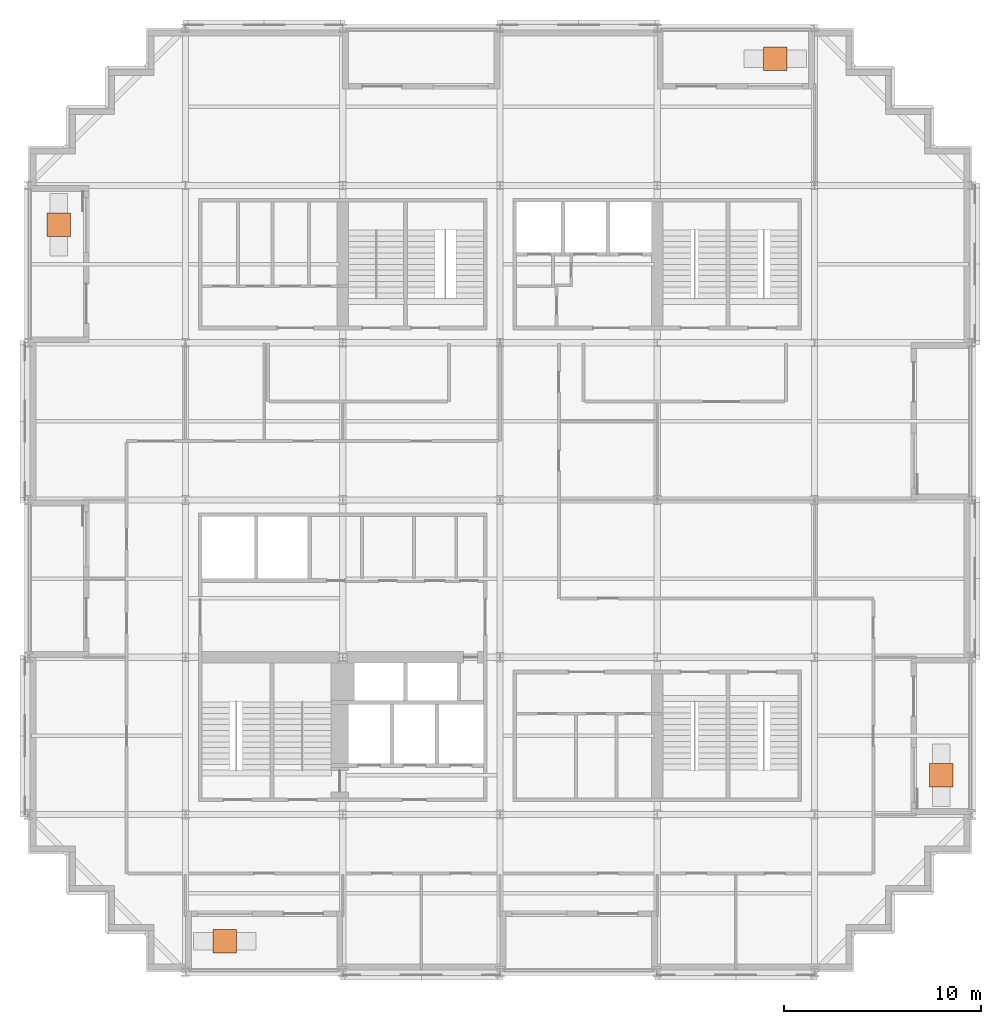
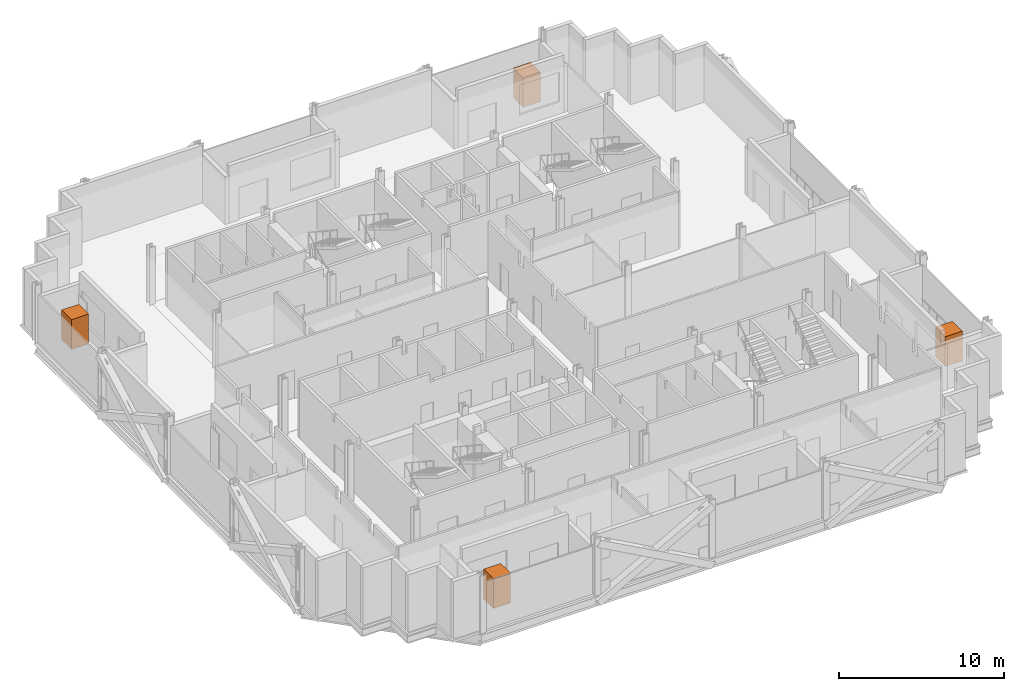
# One storey, part 13 of 13: 4 geographic elements.
"""IFC4 building model written with IfcOpenShell, lengths in metres."""

import ifcopenshell
import ifcopenshell.guid

model = None  # the IFC model being written
_history = None  # IfcOwnerHistory: only IFC2X3 demands one
_inside = {}  # id of a spatial element -> (the spatial element, [elements in it])
_under = {}  # id of a project, library or spatial element -> (it, [spatial elements below it])
_declared = {}  # id of a project -> (the project, [libraries it declares])
_typed = {}  # id of a type object -> (the type object, [elements of that type])
_made_of = {}  # id of a material, layer set ... -> (it, [elements and type objects made of it])


def new_model(schema):
    """Start an empty IFC model of exactly this schema.

    Asked for "IFC4X3", IfcOpenShell would pick the latest addendum, in which some entities
    have other attributes; the version numbers below select the first issue.
    IFC2X3 requires an IfcOwnerHistory on every rooted entity: one is made here for all.
    """
    global model, _history
    if schema == "IFC4X3":
        model = ifcopenshell.file(schema_version=(4, 3, 0, 0))
    else:
        model = ifcopenshell.file(schema=schema)
    _inside.clear()
    _under.clear()
    _declared.clear()
    _typed.clear()
    _made_of.clear()
    _history = None
    if model.schema == "IFC2X3":
        org = make("IfcOrganization", Name="unknown")
        user = make(
            "IfcPersonAndOrganization",
            ThePerson=make("IfcPerson", FamilyName="unknown"),
            TheOrganization=org,
        )
        app = make(
            "IfcApplication",
            ApplicationDeveloper=org,
            Version="unknown",
            ApplicationFullName="unknown",
            ApplicationIdentifier="unknown",
        )
        _history = make(
            "IfcOwnerHistory",
            OwningUser=user,
            OwningApplication=app,
            ChangeAction="ADDED",
            CreationDate=0,
        )
    return model


def make(cls, **values):
    """One entity of the class cls with the attributes given. An attribute that is None is left unset."""
    return model.create_entity(
        cls, **{name: value for name, value in values.items() if value is not None}
    )


def rooted(cls, **values):
    """An entity with a GlobalId (a new one), such as an element, a storey or a relation."""
    return make(cls, GlobalId=ifcopenshell.guid.new(), OwnerHistory=_history, **values)


def si_unit(unit_type, name, prefix=None):
    """IfcSIUnit, for example si_unit("LENGTHUNIT", "METRE", prefix="MILLI")."""
    return make("IfcSIUnit", UnitType=unit_type, Prefix=prefix, Name=name)


def assignment(units):
    """IfcUnitAssignment: the units of a project."""
    return None if units is None else make("IfcUnitAssignment", Units=units)


def point(xyz):
    """IfcCartesianPoint."""
    return None if xyz is None else make("IfcCartesianPoint", Coordinates=xyz)


def direction(xyz):
    """IfcDirection."""
    return None if xyz is None else make("IfcDirection", DirectionRatios=xyz)


def frame(location, z_axis=None, x_axis=None):
    """IfcAxis2Placement3D, a coordinate frame: its origin and axes. An axis left out is left unset."""
    return make(
        "IfcAxis2Placement3D",
        Location=point(location),
        Axis=direction(z_axis),
        RefDirection=direction(x_axis),
    )


def frame_2d(location, x_axis=None):
    """IfcAxis2Placement2D, a coordinate frame in the plane: its origin and x axis."""
    return make(
        "IfcAxis2Placement2D", Location=point(location), RefDirection=direction(x_axis)
    )


def origin():
    """The frame at (0, 0, 0) with its axes left unset."""
    return frame((0.0, 0.0, 0.0))


def origin_2d():
    """The frame at (0, 0) in the plane with its x axis left unset."""
    return frame_2d((0.0, 0.0))


def place(relative_to, where):
    """IfcLocalPlacement: puts the frame where relative to a parent placement (None: the world)."""
    return make(
        "IfcLocalPlacement", PlacementRelTo=relative_to, RelativePlacement=where
    )


def context(
    kind, dimensions, precision=None, world=None, true_north=None, identifier=None
):
    """IfcGeometricRepresentationContext, for example the 3D "Model" context."""
    return make(
        "IfcGeometricRepresentationContext",
        ContextIdentifier=identifier,
        ContextType=kind,
        CoordinateSpaceDimension=dimensions,
        Precision=precision,
        WorldCoordinateSystem=world,
        TrueNorth=true_north,
    )


def subcontext(parent, identifier, kind, view, scale=None):
    """IfcGeometricRepresentationSubContext, for example "Body" below "Model"."""
    return make(
        "IfcGeometricRepresentationSubContext",
        ContextIdentifier=identifier,
        ContextType=kind,
        ParentContext=parent,
        TargetScale=scale,
        TargetView=view,
    )


def project(units=None, contexts=None):
    """IfcProject with its units and contexts."""
    return rooted(
        "IfcProject",
        Name="project",
        RepresentationContexts=contexts,
        UnitsInContext=assignment(units),
    )


def spatial(cls, under=None, at=None, **own):
    """A site, building, storey or space (cls), placed at a placement, below another one or the project."""
    s = rooted(cls, ObjectPlacement=at, **own)
    if under is not None:
        _under.setdefault(under.id(), (under, []))[1].append(s)
    return s


def profile(cls, at=None, kind="AREA", **sizes):
    """A parametric profile (cls). Its sizes go by their IFC names, for example OverallWidth=200.0."""
    return make(cls, ProfileType=kind, Position=at, **sizes)


def rectangle(**sizes):
    """IfcRectangleProfileDef."""
    return profile("IfcRectangleProfileDef", **sizes)


def extrude(swept, where, along, depth):
    """IfcExtrudedAreaSolid: the profile swept, set in the frame where, extruded along a direction by depth."""
    return make(
        "IfcExtrudedAreaSolid",
        SweptArea=swept,
        Position=where,
        ExtrudedDirection=direction(along),
        Depth=depth,
    )


def shape(context_of_items, identifier, shape_type, items):
    """IfcShapeRepresentation: the items that make up one representation, for example the "Body"."""
    return make(
        "IfcShapeRepresentation",
        ContextOfItems=context_of_items,
        RepresentationIdentifier=identifier,
        RepresentationType=shape_type,
        Items=items,
    )


def material(Name=None, Category=None):
    """IfcMaterial."""
    return make("IfcMaterial", Name=Name, Category=Category)


def made_of(thing, what):
    """Note that an element or type object is made of a material, layer set ...; save() writes the relation."""
    if what is not None:
        _made_of.setdefault(what.id(), (what, []))[1].append(thing)
    return thing


def type_object(cls, material=None, **own):
    """A type object (cls), such as IfcWallType, which elements share."""
    return made_of(rooted(cls, **own), material)


def element(
    cls,
    number,
    at=None,
    inside=None,
    cuts=None,
    type_object=None,
    material=None,
    context=None,
    identifier="Body",
    shape_type=None,
    held_by="IfcProductDefinitionShape",
    body=None,
    shapes=None,
    **own,
):
    """One element of the class cls, such as IfcWall. Its Tag is "e" and its number.

    at: its placement. inside: the storey or other place that contains it. cuts: it is an
    opening in that element (IfcRelVoidsElement). A single representation is given by context,
    identifier, shape_type and body (its items); several are given by shapes. held_by: the class
    of the entity that holds the representations. save() writes the other relations.
    """
    e = rooted(cls, Tag="e%d" % number, ObjectPlacement=at, **own)
    if body is not None:
        shapes = [shape(context, identifier, shape_type, body)]
    if shapes is not None:
        e.Representation = make(held_by, Representations=shapes)
    if inside is not None:
        _inside.setdefault(inside.id(), (inside, []))[1].append(e)
    if cuts is not None:
        rooted(
            "IfcRelVoidsElement", RelatingBuildingElement=cuts, RelatedOpeningElement=e
        )
    if type_object is not None:
        _typed.setdefault(type_object.id(), (type_object, []))[1].append(e)
    return made_of(e, material)


def aggregate(whole, parts):
    """IfcRelAggregates: a whole, such as a stair, and the parts it consists of."""
    return rooted("IfcRelAggregates", RelatingObject=whole, RelatedObjects=parts)


def save(model, path):
    """Write the relations noted so far, then the file.

    IfcRelAggregates (storeys below a building ...), IfcRelContainedInSpatialStructure (elements
    in a storey), IfcRelDefinesByType, IfcRelAssociatesMaterial and IfcRelDeclares: one each for
    every whole, place, type object, material and project.
    """
    for whole, parts in _under.values():
        aggregate(whole, parts)
    for where, things in _inside.values():
        rooted(
            "IfcRelContainedInSpatialStructure",
            RelatedElements=things,
            RelatingStructure=where,
        )
    for kind, things in _typed.values():
        rooted("IfcRelDefinesByType", RelatedObjects=things, RelatingType=kind)
    for what, things in _made_of.values():
        rooted("IfcRelAssociatesMaterial", RelatedObjects=things, RelatingMaterial=what)
    for by, libraries in _declared.values():
        rooted("IfcRelDeclares", RelatingContext=by, RelatedDefinitions=libraries)
    model.write(path)


model = new_model("IFC4")

# Units and contexts
model_context = context("Model", 3, precision=1e-05, world=origin(), true_north=direction((0.0, 1.0)))
body_context = subcontext(model_context, "Body", "Model", "MODEL_VIEW")
ifc_project = project(units=[si_unit("LENGTHUNIT", "METRE"), si_unit("AREAUNIT", "SQUARE_METRE"), si_unit("VOLUMEUNIT", "CUBIC_METRE"), si_unit("PLANEANGLEUNIT", "RADIAN"), si_unit("MASSUNIT", "GRAM", prefix="KILO")], contexts=[model_context])

# Site, building, storey
site_placement = place(None, origin())
site = spatial("IfcSite", under=ifc_project, at=site_placement, CompositionType="ELEMENT")
building_placement = place(site_placement, origin())
building = spatial("IfcBuilding", under=site, at=building_placement, Name="Immortelle Media Tower", CompositionType="ELEMENT")
storey_placement = place(building_placement, frame((0.0, 0.0, 56.800048828125)))
storey = spatial("IfcBuildingStorey", under=building, at=storey_placement, Name="L09", CompositionType="ELEMENT", Elevation=56.800048828125)

# Geographic elements
ifc_material = material(Name="Tree canopy foliage")
geographic_element_type = type_object("IfcGeographicElementType", Name="Tree", PredefinedType="USERDEFINED", material=ifc_material)
for number, where, z_axis, x_axis, name in (
    (1, (1.550048828125, 38.0, 0.60009765625), (0.0, 0.0, 1.0), (1.0, 0.0, 0.0), "Tree L09 W0"),
    (2, (10.0, 1.550048828125, 0.60009765625), (0.0, 0.0, 1.0), (1.0, 0.0, 0.0), "Tree L09 S0"),
    (3, (46.449951171875, 10.0, 0.60009765625), (0.0, 0.0, 1.0), (1.0, 0.0, 0.0), "Tree L09 E0"),
    (4, (38.0, 46.449951171875, 0.60009765625), (0.0, 0.0, 1.0), (1.0, 0.0, 0.0), "Tree L09 N0"),
):
    element("IfcGeographicElement", number, at=place(storey_placement, frame(where, z_axis=z_axis, x_axis=x_axis)), inside=storey, type_object=geographic_element_type, Name=name, ObjectType="Tree", PredefinedType="USERDEFINED", context=body_context, shape_type="SweptSolid", body=[
        extrude(rectangle(XDim=1.199951171875, YDim=1.199951171875, at=origin_2d()), origin(), (0.0, 0.0, 1.0), 2.199951171875),
    ])

save(model, "model.ifc")
